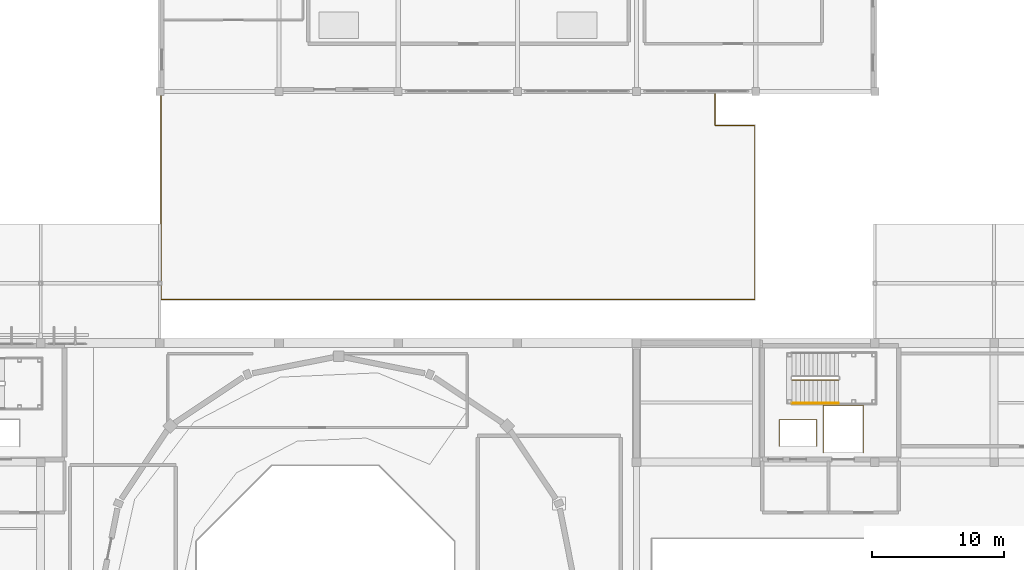
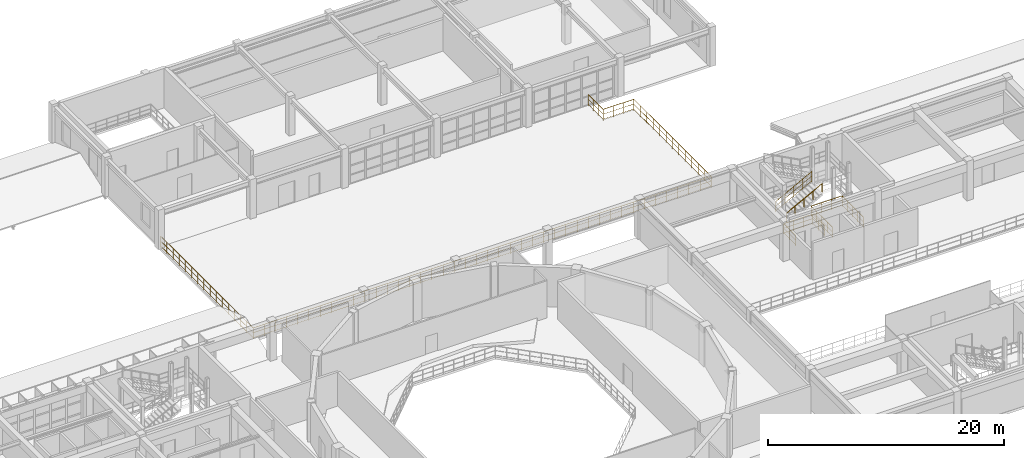
# One storey, part 79 of 80: 5 railings.
"""IFC4 building model written with IfcOpenShell, lengths in metres."""

from ifc_helpers import new_model, si_unit, direction, frame, origin, origin_2d, place, context, subcontext, project, spatial, circle, extrude, material, type_object, element, save


model = new_model("IFC4")

# Units and contexts
model_context = context("Model", 3, precision=1e-05, world=origin(), true_north=direction((0.0, 1.0)))
body_context = subcontext(model_context, "Body", "Model", "MODEL_VIEW")
ifc_project = project(units=[si_unit("LENGTHUNIT", "METRE"), si_unit("AREAUNIT", "SQUARE_METRE"), si_unit("VOLUMEUNIT", "CUBIC_METRE"), si_unit("PLANEANGLEUNIT", "RADIAN"), si_unit("MASSUNIT", "GRAM", prefix="KILO")], contexts=[model_context])

# Site, building, storey
site_placement = place(None, origin())
site = spatial("IfcSite", under=ifc_project, at=site_placement, CompositionType="ELEMENT")
building_placement = place(site_placement, origin())
building = spatial("IfcBuilding", under=site, at=building_placement, Name="Miravela Opera House", CompositionType="ELEMENT")
storey_placement = place(building_placement, frame((0.0, 0.0, 17.679931640625)))
storey = spatial("IfcBuildingStorey", under=building, at=storey_placement, Name="L04", CompositionType="ELEMENT", Elevation=17.679931640625)

# Railings
ifc_material_1 = material(Name="Brushed bronze continuous stair handrail")
railing_type_1 = type_object("IfcRailingType", Name="ARC-RAIL-HAND-900", PredefinedType="HANDRAIL", material=ifc_material_1)
railing_1_placement = place(storey_placement, frame((110.739990234375, 70.449951171875, 0.170166015625)))
element("IfcRailing", 1, at=railing_1_placement, inside=storey, type_object=railing_type_1, Name="L04 ST-03 stair handrail 1", PredefinedType="HANDRAIL", context=body_context, shape_type="SweptSolid", body=[
    extrude(circle(Radius=0.02392578125, at=origin_2d()), frame((0.0, 0.0, 0.8759765625), z_axis=(0.883129994055, 0.0, 0.469128355144), x_axis=(0.0, 1.0, 0.0)), (0.0, 0.0, 1.0), 3.98583984375),
    extrude(circle(Radius=0.02099609375, at=origin_2d()), origin(), (0.0, 0.0, 1.0), 0.851806640625),
    extrude(circle(Radius=0.02099609375, at=origin_2d()), frame((0.8798828125, 0.0, 0.467529296875)), (0.0, 0.0, 1.0), 0.851806640625),
    extrude(circle(Radius=0.02099609375, at=origin_2d()), frame((1.760009765625, 0.0, 0.93505859375)), (0.0, 0.0, 1.0), 0.851806640625),
    extrude(circle(Radius=0.02099609375, at=origin_2d()), frame((2.64013671875, 0.0, 1.40234375)), (0.0, 0.0, 1.0), 0.851806640625),
    extrude(circle(Radius=0.02099609375, at=origin_2d()), frame((3.52001953125, 0.0, 1.869873046875)), (0.0, 0.0, 1.0), 0.851806640625),
])
ifc_material_2 = material(Name="Painted wrought-iron stair guardrail")
railing_type_2 = type_object("IfcRailingType", Name="ARC-RAIL-STAIR-GUARD", PredefinedType="GUARDRAIL", material=ifc_material_2)
railing_2_placement = place(storey_placement, frame((110.739990234375, 72.18994140625, 0.170166015625)))
element("IfcRailing", 2, at=railing_2_placement, inside=storey, type_object=railing_type_2, Name="L04 ST-03 stair guard 1", PredefinedType="GUARDRAIL", context=body_context, shape_type="SweptSolid", body=[
    extrude(circle(Radius=0.02392578125, at=origin_2d()), frame((0.0, 0.0, 1.076171875), z_axis=(0.883129994055, 0.0, 0.469128355144), x_axis=(0.0, 1.0, 0.0)), (0.0, 0.0, 1.0), 3.98583984375),
    extrude(circle(Radius=0.01611328125, at=origin_2d()), frame((0.0, 0.0, 0.60498046875), z_axis=(0.883129994055, 0.0, 0.469128355144), x_axis=(0.0, 1.0, 0.0)), (0.0, 0.0, 1.0), 3.98583984375),
    extrude(circle(Radius=0.01611328125, at=origin_2d()), frame((0.0, 0.0, 0.1201171875), z_axis=(0.883129994055, 0.0, 0.469128355144), x_axis=(0.0, 1.0, 0.0)), (0.0, 0.0, 1.0), 3.98583984375),
    extrude(circle(Radius=0.02099609375, at=origin_2d()), origin(), (0.0, 0.0, 1.0), 1.052001953125),
    extrude(circle(Radius=0.02099609375, at=origin_2d()), frame((0.8798828125, 0.0, 0.467529296875)), (0.0, 0.0, 1.0), 1.052001953125),
    extrude(circle(Radius=0.02099609375, at=origin_2d()), frame((1.760009765625, 0.0, 0.93505859375)), (0.0, 0.0, 1.0), 1.052001953125),
    extrude(circle(Radius=0.02099609375, at=origin_2d()), frame((2.64013671875, 0.0, 1.40234375)), (0.0, 0.0, 1.0), 1.052001953125),
    extrude(circle(Radius=0.02099609375, at=origin_2d()), frame((3.52001953125, 0.0, 1.869873046875)), (0.0, 0.0, 1.0), 1.052001953125),
])
railing_3_placement = place(storey_placement, frame((109.7900390625, 67.18505859375, 0.0)))
element("IfcRailing", 3, at=railing_3_placement, inside=storey, type_object=railing_type_2, Name="Lift FFL-02 Hoistway Slab Opening Guard (L04) 0121", PredefinedType="GUARDRAIL", context=body_context, shape_type="SweptSolid", body=[
    extrude(circle(Radius=0.02392578125, at=origin_2d()), frame((0.0, 0.0, 1.076171875), z_axis=(0.0, 1.0, 0.0), x_axis=(-1.0, 0.0, 0.0)), (0.0, 0.0, 1.0), 2.030029296875),
    extrude(circle(Radius=0.01611328125, at=origin_2d()), frame((0.0, 0.0, 0.60498046875), z_axis=(0.0, 1.0, 0.0), x_axis=(-1.0, 0.0, 0.0)), (0.0, 0.0, 1.0), 2.030029296875),
    extrude(circle(Radius=0.01611328125, at=origin_2d()), frame((0.0, 0.0, 0.1201171875), z_axis=(0.0, 1.0, 0.0), x_axis=(-1.0, 0.0, 0.0)), (0.0, 0.0, 1.0), 2.030029296875),
    extrude(circle(Radius=0.02392578125, at=origin_2d()), frame((0.0, 2.030029296875, 1.076171875), z_axis=(1.0, 0.0, 0.0), x_axis=(0.0, 1.0, 0.0)), (0.0, 0.0, 1.0), 2.820068359375),
    extrude(circle(Radius=0.01611328125, at=origin_2d()), frame((0.0, 2.030029296875, 0.60498046875), z_axis=(1.0, 0.0, 0.0), x_axis=(0.0, 1.0, 0.0)), (0.0, 0.0, 1.0), 2.820068359375),
    extrude(circle(Radius=0.01611328125, at=origin_2d()), frame((0.0, 2.030029296875, 0.1201171875), z_axis=(1.0, 0.0, 0.0), x_axis=(0.0, 1.0, 0.0)), (0.0, 0.0, 1.0), 2.820068359375),
    extrude(circle(Radius=0.02392578125, at=origin_2d()), frame((2.820068359375, 2.030029296875, 1.076171875), z_axis=(0.0, -1.0, 0.0), x_axis=(1.0, 0.0, 0.0)), (0.0, 0.0, 1.0), 2.030029296875),
    extrude(circle(Radius=0.01611328125, at=origin_2d()), frame((2.820068359375, 2.030029296875, 0.60498046875), z_axis=(0.0, -1.0, 0.0), x_axis=(1.0, 0.0, 0.0)), (0.0, 0.0, 1.0), 2.030029296875),
    extrude(circle(Radius=0.01611328125, at=origin_2d()), frame((2.820068359375, 2.030029296875, 0.1201171875), z_axis=(0.0, -1.0, 0.0), x_axis=(1.0, 0.0, 0.0)), (0.0, 0.0, 1.0), 2.030029296875),
    extrude(circle(Radius=0.02099609375, at=origin_2d()), origin(), (0.0, 0.0, 1.0), 1.052001953125),
    extrude(circle(Radius=0.02099609375, at=origin_2d()), frame((0.0, 1.01513671875, 0.0)), (0.0, 0.0, 1.0), 1.052001953125),
    extrude(circle(Radius=0.02099609375, at=origin_2d()), frame((0.0, 2.030029296875, 0.0)), (0.0, 0.0, 1.0), 1.052001953125),
    extrude(circle(Radius=0.02099609375, at=origin_2d()), frame((0.93994140625, 2.030029296875, 0.0)), (0.0, 0.0, 1.0), 1.052001953125),
    extrude(circle(Radius=0.02099609375, at=origin_2d()), frame((1.880126953125, 2.030029296875, 0.0)), (0.0, 0.0, 1.0), 1.052001953125),
    extrude(circle(Radius=0.02099609375, at=origin_2d()), frame((2.820068359375, 2.030029296875, 0.0)), (0.0, 0.0, 1.0), 1.052001953125),
    extrude(circle(Radius=0.02099609375, at=origin_2d()), frame((2.820068359375, 1.01513671875, 0.0)), (0.0, 0.0, 1.0), 1.052001953125),
    extrude(circle(Radius=0.02099609375, at=origin_2d()), frame((2.820068359375, 0.0, 0.0)), (0.0, 0.0, 1.0), 1.052001953125),
])
railing_4_placement = place(storey_placement, frame((113.090087890625, 66.7099609375, 0.0)))
element("IfcRailing", 4, at=railing_4_placement, inside=storey, type_object=railing_type_2, Name="Lift FL-01 Hoistway Slab Opening Guard (L04) 0127", PredefinedType="GUARDRAIL", context=body_context, shape_type="SweptSolid", body=[
    extrude(circle(Radius=0.02392578125, at=origin_2d()), frame((0.0, 0.0, 1.076171875), z_axis=(0.0, 1.0, 0.0), x_axis=(-1.0, 0.0, 0.0)), (0.0, 0.0, 1.0), 3.580078125),
    extrude(circle(Radius=0.01611328125, at=origin_2d()), frame((0.0, 0.0, 0.60498046875), z_axis=(0.0, 1.0, 0.0), x_axis=(-1.0, 0.0, 0.0)), (0.0, 0.0, 1.0), 3.580078125),
    extrude(circle(Radius=0.01611328125, at=origin_2d()), frame((0.0, 0.0, 0.1201171875), z_axis=(0.0, 1.0, 0.0), x_axis=(-1.0, 0.0, 0.0)), (0.0, 0.0, 1.0), 3.580078125),
    extrude(circle(Radius=0.02392578125, at=origin_2d()), frame((0.0, 3.580078125, 1.076171875), z_axis=(1.0, 0.0, 0.0), x_axis=(0.0, 1.0, 0.0)), (0.0, 0.0, 1.0), 3.02001953125),
    extrude(circle(Radius=0.01611328125, at=origin_2d()), frame((0.0, 3.580078125, 0.60498046875), z_axis=(1.0, 0.0, 0.0), x_axis=(0.0, 1.0, 0.0)), (0.0, 0.0, 1.0), 3.02001953125),
    extrude(circle(Radius=0.01611328125, at=origin_2d()), frame((0.0, 3.580078125, 0.1201171875), z_axis=(1.0, 0.0, 0.0), x_axis=(0.0, 1.0, 0.0)), (0.0, 0.0, 1.0), 3.02001953125),
    extrude(circle(Radius=0.02392578125, at=origin_2d()), frame((3.02001953125, 3.580078125, 1.076171875), z_axis=(0.0, -1.0, 0.0), x_axis=(1.0, 0.0, 0.0)), (0.0, 0.0, 1.0), 3.580078125),
    extrude(circle(Radius=0.01611328125, at=origin_2d()), frame((3.02001953125, 3.580078125, 0.60498046875), z_axis=(0.0, -1.0, 0.0), x_axis=(1.0, 0.0, 0.0)), (0.0, 0.0, 1.0), 3.580078125),
    extrude(circle(Radius=0.01611328125, at=origin_2d()), frame((3.02001953125, 3.580078125, 0.1201171875), z_axis=(0.0, -1.0, 0.0), x_axis=(1.0, 0.0, 0.0)), (0.0, 0.0, 1.0), 3.580078125),
    extrude(circle(Radius=0.02099609375, at=origin_2d()), origin(), (0.0, 0.0, 1.0), 1.052001953125),
    extrude(circle(Radius=0.02099609375, at=origin_2d()), frame((0.0, 0.89501953125, 0.0)), (0.0, 0.0, 1.0), 1.052001953125),
    extrude(circle(Radius=0.02099609375, at=origin_2d()), frame((0.0, 1.7900390625, 0.0)), (0.0, 0.0, 1.0), 1.052001953125),
    extrude(circle(Radius=0.02099609375, at=origin_2d()), frame((0.0, 2.68505859375, 0.0)), (0.0, 0.0, 1.0), 1.052001953125),
    extrude(circle(Radius=0.02099609375, at=origin_2d()), frame((0.0, 3.580078125, 0.0)), (0.0, 0.0, 1.0), 1.052001953125),
    extrude(circle(Radius=0.02099609375, at=origin_2d()), frame((1.006591796875, 3.580078125, 0.0)), (0.0, 0.0, 1.0), 1.052001953125),
    extrude(circle(Radius=0.02099609375, at=origin_2d()), frame((2.013427734375, 3.580078125, 0.0)), (0.0, 0.0, 1.0), 1.052001953125),
    extrude(circle(Radius=0.02099609375, at=origin_2d()), frame((3.02001953125, 3.580078125, 0.0)), (0.0, 0.0, 1.0), 1.052001953125),
    extrude(circle(Radius=0.02099609375, at=origin_2d()), frame((3.02001953125, 2.68505859375, 0.0)), (0.0, 0.0, 1.0), 1.052001953125),
    extrude(circle(Radius=0.02099609375, at=origin_2d()), frame((3.02001953125, 1.7900390625, 0.0)), (0.0, 0.0, 1.0), 1.052001953125),
    extrude(circle(Radius=0.02099609375, at=origin_2d()), frame((3.02001953125, 0.89501953125, 0.0)), (0.0, 0.0, 1.0), 1.052001953125),
    extrude(circle(Radius=0.02099609375, at=origin_2d()), frame((3.02001953125, 0.0, 0.0)), (0.0, 0.0, 1.0), 1.052001953125),
])
ifc_material_3 = material(Name="Spanish Colonial wrought-iron terrace guard")
railing_type_3 = type_object("IfcRailingType", Name="ARC-RAIL-TERR-GUARD", PredefinedType="GUARDRAIL", material=ifc_material_3)
railing_5_placement = place(storey_placement, frame((63.080078125, 93.919921875, 0.0)))
element("IfcRailing", 5, at=railing_5_placement, inside=storey, type_object=railing_type_3, Name="L04 North Planted Roof Terrace Perimeter Guardrail 0173", PredefinedType="GUARDRAIL", context=body_context, shape_type="SweptSolid", body=[
    extrude(circle(Radius=0.02685546875, at=origin_2d()), frame((0.0, 0.0, 1.1328125), z_axis=(0.0, -1.0, 0.0), x_axis=(1.0, 0.0, 0.0)), (0.0, 0.0, 1.0), 15.639892578125),
    extrude(circle(Radius=0.01611328125, at=origin_2d()), frame((0.0, 0.0, 0.637939453125), z_axis=(0.0, -1.0, 0.0), x_axis=(1.0, 0.0, 0.0)), (0.0, 0.0, 1.0), 15.639892578125),
    extrude(circle(Radius=0.01611328125, at=origin_2d()), frame((0.0, 0.0, 0.1201171875), z_axis=(0.0, -1.0, 0.0), x_axis=(1.0, 0.0, 0.0)), (0.0, 0.0, 1.0), 15.639892578125),
    extrude(circle(Radius=0.02685546875, at=origin_2d()), frame((0.0, -15.639892578125, 1.1328125), z_axis=(1.0, 0.0, 0.0), x_axis=(0.0, 1.0, 0.0)), (0.0, 0.0, 1.0), 44.83984375),
    extrude(circle(Radius=0.01611328125, at=origin_2d()), frame((0.0, -15.639892578125, 0.637939453125), z_axis=(1.0, 0.0, 0.0), x_axis=(0.0, 1.0, 0.0)), (0.0, 0.0, 1.0), 44.83984375),
    extrude(circle(Radius=0.01611328125, at=origin_2d()), frame((0.0, -15.639892578125, 0.1201171875), z_axis=(1.0, 0.0, 0.0), x_axis=(0.0, 1.0, 0.0)), (0.0, 0.0, 1.0), 44.83984375),
    extrude(circle(Radius=0.02685546875, at=origin_2d()), frame((44.83984375, -15.639892578125, 1.1328125), z_axis=(0.0, 1.0, 0.0), x_axis=(-1.0, 0.0, 0.0)), (0.0, 0.0, 1.0), 13.139892578125),
    extrude(circle(Radius=0.01611328125, at=origin_2d()), frame((44.83984375, -15.639892578125, 0.637939453125), z_axis=(0.0, 1.0, 0.0), x_axis=(-1.0, 0.0, 0.0)), (0.0, 0.0, 1.0), 13.139892578125),
    extrude(circle(Radius=0.01611328125, at=origin_2d()), frame((44.83984375, -15.639892578125, 0.1201171875), z_axis=(0.0, 1.0, 0.0), x_axis=(-1.0, 0.0, 0.0)), (0.0, 0.0, 1.0), 13.139892578125),
    extrude(circle(Radius=0.02685546875, at=origin_2d()), frame((44.83984375, -2.5, 1.1328125), z_axis=(-1.0, 0.0, 0.0), x_axis=(0.0, -1.0, 0.0)), (0.0, 0.0, 1.0), 3.0),
    extrude(circle(Radius=0.01611328125, at=origin_2d()), frame((44.83984375, -2.5, 0.637939453125), z_axis=(-1.0, 0.0, 0.0), x_axis=(0.0, -1.0, 0.0)), (0.0, 0.0, 1.0), 3.0),
    extrude(circle(Radius=0.01611328125, at=origin_2d()), frame((44.83984375, -2.5, 0.1201171875), z_axis=(-1.0, 0.0, 0.0), x_axis=(0.0, -1.0, 0.0)), (0.0, 0.0, 1.0), 3.0),
    extrude(circle(Radius=0.02685546875, at=origin_2d()), frame((41.83984375, -2.5, 1.1328125), z_axis=(0.0, 1.0, 0.0), x_axis=(-1.0, 0.0, 0.0)), (0.0, 0.0, 1.0), 2.5),
    extrude(circle(Radius=0.01611328125, at=origin_2d()), frame((41.83984375, -2.5, 0.637939453125), z_axis=(0.0, 1.0, 0.0), x_axis=(-1.0, 0.0, 0.0)), (0.0, 0.0, 1.0), 2.5),
    extrude(circle(Radius=0.01611328125, at=origin_2d()), frame((41.83984375, -2.5, 0.1201171875), z_axis=(0.0, 1.0, 0.0), x_axis=(-1.0, 0.0, 0.0)), (0.0, 0.0, 1.0), 2.5),
    extrude(circle(Radius=0.02099609375, at=origin_2d()), origin(), (0.0, 0.0, 1.0), 1.10595703125),
    extrude(circle(Radius=0.02099609375, at=origin_2d()), frame((0.0, -1.042724609375, 0.0)), (0.0, 0.0, 1.0), 1.10595703125),
    extrude(circle(Radius=0.02099609375, at=origin_2d()), frame((0.0, -2.085205078125, 0.0)), (0.0, 0.0, 1.0), 1.10595703125),
    extrude(circle(Radius=0.02099609375, at=origin_2d()), frame((0.0, -3.1279296875, 0.0)), (0.0, 0.0, 1.0), 1.10595703125),
    extrude(circle(Radius=0.02099609375, at=origin_2d()), frame((0.0, -4.170654296875, 0.0)), (0.0, 0.0, 1.0), 1.10595703125),
    extrude(circle(Radius=0.02099609375, at=origin_2d()), frame((0.0, -5.21337890625, 0.0)), (0.0, 0.0, 1.0), 1.10595703125),
    extrude(circle(Radius=0.02099609375, at=origin_2d()), frame((0.0, -6.255859375, 0.0)), (0.0, 0.0, 1.0), 1.10595703125),
    extrude(circle(Radius=0.02099609375, at=origin_2d()), frame((0.0, -7.298583984375, 0.0)), (0.0, 0.0, 1.0), 1.10595703125),
    extrude(circle(Radius=0.02099609375, at=origin_2d()), frame((0.0, -8.34130859375, 0.0)), (0.0, 0.0, 1.0), 1.10595703125),
    extrude(circle(Radius=0.02099609375, at=origin_2d()), frame((0.0, -9.384033203125, 0.0)), (0.0, 0.0, 1.0), 1.10595703125),
    extrude(circle(Radius=0.02099609375, at=origin_2d()), frame((0.0, -10.426513671875, 0.0)), (0.0, 0.0, 1.0), 1.10595703125),
    extrude(circle(Radius=0.02099609375, at=origin_2d()), frame((0.0, -11.46923828125, 0.0)), (0.0, 0.0, 1.0), 1.10595703125),
    extrude(circle(Radius=0.02099609375, at=origin_2d()), frame((0.0, -12.511962890625, 0.0)), (0.0, 0.0, 1.0), 1.10595703125),
    extrude(circle(Radius=0.02099609375, at=origin_2d()), frame((0.0, -13.5546875, 0.0)), (0.0, 0.0, 1.0), 1.10595703125),
    extrude(circle(Radius=0.02099609375, at=origin_2d()), frame((0.0, -14.59716796875, 0.0)), (0.0, 0.0, 1.0), 1.10595703125),
    extrude(circle(Radius=0.02099609375, at=origin_2d()), frame((0.0, -15.639892578125, 0.0)), (0.0, 0.0, 1.0), 1.10595703125),
    extrude(circle(Radius=0.02099609375, at=origin_2d()), frame((1.09375, -15.639892578125, 0.0)), (0.0, 0.0, 1.0), 1.10595703125),
    extrude(circle(Radius=0.02099609375, at=origin_2d()), frame((2.187255859375, -15.639892578125, 0.0)), (0.0, 0.0, 1.0), 1.10595703125),
    extrude(circle(Radius=0.02099609375, at=origin_2d()), frame((3.281005859375, -15.639892578125, 0.0)), (0.0, 0.0, 1.0), 1.10595703125),
    extrude(circle(Radius=0.02099609375, at=origin_2d()), frame((4.37451171875, -15.639892578125, 0.0)), (0.0, 0.0, 1.0), 1.10595703125),
    extrude(circle(Radius=0.02099609375, at=origin_2d()), frame((5.46826171875, -15.639892578125, 0.0)), (0.0, 0.0, 1.0), 1.10595703125),
    extrude(circle(Radius=0.02099609375, at=origin_2d()), frame((6.56201171875, -15.639892578125, 0.0)), (0.0, 0.0, 1.0), 1.10595703125),
    extrude(circle(Radius=0.02099609375, at=origin_2d()), frame((7.655517578125, -15.639892578125, 0.0)), (0.0, 0.0, 1.0), 1.10595703125),
    extrude(circle(Radius=0.02099609375, at=origin_2d()), frame((8.749267578125, -15.639892578125, 0.0)), (0.0, 0.0, 1.0), 1.10595703125),
    extrude(circle(Radius=0.02099609375, at=origin_2d()), frame((9.8427734375, -15.639892578125, 0.0)), (0.0, 0.0, 1.0), 1.10595703125),
    extrude(circle(Radius=0.02099609375, at=origin_2d()), frame((10.9365234375, -15.639892578125, 0.0)), (0.0, 0.0, 1.0), 1.10595703125),
    extrude(circle(Radius=0.02099609375, at=origin_2d()), frame((12.0302734375, -15.639892578125, 0.0)), (0.0, 0.0, 1.0), 1.10595703125),
    extrude(circle(Radius=0.02099609375, at=origin_2d()), frame((13.123779296875, -15.639892578125, 0.0)), (0.0, 0.0, 1.0), 1.10595703125),
    extrude(circle(Radius=0.02099609375, at=origin_2d()), frame((14.217529296875, -15.639892578125, 0.0)), (0.0, 0.0, 1.0), 1.10595703125),
    extrude(circle(Radius=0.02099609375, at=origin_2d()), frame((15.311279296875, -15.639892578125, 0.0)), (0.0, 0.0, 1.0), 1.10595703125),
    extrude(circle(Radius=0.02099609375, at=origin_2d()), frame((16.40478515625, -15.639892578125, 0.0)), (0.0, 0.0, 1.0), 1.10595703125),
    extrude(circle(Radius=0.02099609375, at=origin_2d()), frame((17.49853515625, -15.639892578125, 0.0)), (0.0, 0.0, 1.0), 1.10595703125),
    extrude(circle(Radius=0.02099609375, at=origin_2d()), frame((18.592041015625, -15.639892578125, 0.0)), (0.0, 0.0, 1.0), 1.10595703125),
    extrude(circle(Radius=0.02099609375, at=origin_2d()), frame((19.685791015625, -15.639892578125, 0.0)), (0.0, 0.0, 1.0), 1.10595703125),
    extrude(circle(Radius=0.02099609375, at=origin_2d()), frame((20.779541015625, -15.639892578125, 0.0)), (0.0, 0.0, 1.0), 1.10595703125),
    extrude(circle(Radius=0.02099609375, at=origin_2d()), frame((21.873046875, -15.639892578125, 0.0)), (0.0, 0.0, 1.0), 1.10595703125),
    extrude(circle(Radius=0.02099609375, at=origin_2d()), frame((22.966796875, -15.639892578125, 0.0)), (0.0, 0.0, 1.0), 1.10595703125),
    extrude(circle(Radius=0.02099609375, at=origin_2d()), frame((24.060302734375, -15.639892578125, 0.0)), (0.0, 0.0, 1.0), 1.10595703125),
    extrude(circle(Radius=0.02099609375, at=origin_2d()), frame((25.154052734375, -15.639892578125, 0.0)), (0.0, 0.0, 1.0), 1.10595703125),
    extrude(circle(Radius=0.02099609375, at=origin_2d()), frame((26.247802734375, -15.639892578125, 0.0)), (0.0, 0.0, 1.0), 1.10595703125),
    extrude(circle(Radius=0.02099609375, at=origin_2d()), frame((27.34130859375, -15.639892578125, 0.0)), (0.0, 0.0, 1.0), 1.10595703125),
    extrude(circle(Radius=0.02099609375, at=origin_2d()), frame((28.43505859375, -15.639892578125, 0.0)), (0.0, 0.0, 1.0), 1.10595703125),
    extrude(circle(Radius=0.02099609375, at=origin_2d()), frame((29.528564453125, -15.639892578125, 0.0)), (0.0, 0.0, 1.0), 1.10595703125),
    extrude(circle(Radius=0.02099609375, at=origin_2d()), frame((30.622314453125, -15.639892578125, 0.0)), (0.0, 0.0, 1.0), 1.10595703125),
    extrude(circle(Radius=0.02099609375, at=origin_2d()), frame((31.716064453125, -15.639892578125, 0.0)), (0.0, 0.0, 1.0), 1.10595703125),
    extrude(circle(Radius=0.02099609375, at=origin_2d()), frame((32.8095703125, -15.639892578125, 0.0)), (0.0, 0.0, 1.0), 1.10595703125),
    extrude(circle(Radius=0.02099609375, at=origin_2d()), frame((33.9033203125, -15.639892578125, 0.0)), (0.0, 0.0, 1.0), 1.10595703125),
    extrude(circle(Radius=0.02099609375, at=origin_2d()), frame((34.9970703125, -15.639892578125, 0.0)), (0.0, 0.0, 1.0), 1.10595703125),
    extrude(circle(Radius=0.02099609375, at=origin_2d()), frame((36.090576171875, -15.639892578125, 0.0)), (0.0, 0.0, 1.0), 1.10595703125),
    extrude(circle(Radius=0.02099609375, at=origin_2d()), frame((37.184326171875, -15.639892578125, 0.0)), (0.0, 0.0, 1.0), 1.10595703125),
    extrude(circle(Radius=0.02099609375, at=origin_2d()), frame((38.27783203125, -15.639892578125, 0.0)), (0.0, 0.0, 1.0), 1.10595703125),
    extrude(circle(Radius=0.02099609375, at=origin_2d()), frame((39.37158203125, -15.639892578125, 0.0)), (0.0, 0.0, 1.0), 1.10595703125),
    extrude(circle(Radius=0.02099609375, at=origin_2d()), frame((40.46533203125, -15.639892578125, 0.0)), (0.0, 0.0, 1.0), 1.10595703125),
    extrude(circle(Radius=0.02099609375, at=origin_2d()), frame((41.558837890625, -15.639892578125, 0.0)), (0.0, 0.0, 1.0), 1.10595703125),
    extrude(circle(Radius=0.02099609375, at=origin_2d()), frame((42.652587890625, -15.639892578125, 0.0)), (0.0, 0.0, 1.0), 1.10595703125),
    extrude(circle(Radius=0.02099609375, at=origin_2d()), frame((43.74609375, -15.639892578125, 0.0)), (0.0, 0.0, 1.0), 1.10595703125),
    extrude(circle(Radius=0.02099609375, at=origin_2d()), frame((44.83984375, -15.639892578125, 0.0)), (0.0, 0.0, 1.0), 1.10595703125),
    extrude(circle(Radius=0.02099609375, at=origin_2d()), frame((44.83984375, -14.544921875, 0.0)), (0.0, 0.0, 1.0), 1.10595703125),
    extrude(circle(Radius=0.02099609375, at=origin_2d()), frame((44.83984375, -13.449951171875, 0.0)), (0.0, 0.0, 1.0), 1.10595703125),
    extrude(circle(Radius=0.02099609375, at=origin_2d()), frame((44.83984375, -12.35498046875, 0.0)), (0.0, 0.0, 1.0), 1.10595703125),
    extrude(circle(Radius=0.02099609375, at=origin_2d()), frame((44.83984375, -11.260009765625, 0.0)), (0.0, 0.0, 1.0), 1.10595703125),
    extrude(circle(Radius=0.02099609375, at=origin_2d()), frame((44.83984375, -10.1650390625, 0.0)), (0.0, 0.0, 1.0), 1.10595703125),
    extrude(circle(Radius=0.02099609375, at=origin_2d()), frame((44.83984375, -9.06982421875, 0.0)), (0.0, 0.0, 1.0), 1.10595703125),
    extrude(circle(Radius=0.02099609375, at=origin_2d()), frame((44.83984375, -7.974853515625, 0.0)), (0.0, 0.0, 1.0), 1.10595703125),
    extrude(circle(Radius=0.02099609375, at=origin_2d()), frame((44.83984375, -6.8798828125, 0.0)), (0.0, 0.0, 1.0), 1.10595703125),
    extrude(circle(Radius=0.02099609375, at=origin_2d()), frame((44.83984375, -5.784912109375, 0.0)), (0.0, 0.0, 1.0), 1.10595703125),
    extrude(circle(Radius=0.02099609375, at=origin_2d()), frame((44.83984375, -4.68994140625, 0.0)), (0.0, 0.0, 1.0), 1.10595703125),
    extrude(circle(Radius=0.02099609375, at=origin_2d()), frame((44.83984375, -3.594970703125, 0.0)), (0.0, 0.0, 1.0), 1.10595703125),
    extrude(circle(Radius=0.02099609375, at=origin_2d()), frame((44.83984375, -2.5, 0.0)), (0.0, 0.0, 1.0), 1.10595703125),
    extrude(circle(Radius=0.02099609375, at=origin_2d()), frame((43.83984375, -2.5, 0.0)), (0.0, 0.0, 1.0), 1.10595703125),
    extrude(circle(Radius=0.02099609375, at=origin_2d()), frame((42.83984375, -2.5, 0.0)), (0.0, 0.0, 1.0), 1.10595703125),
    extrude(circle(Radius=0.02099609375, at=origin_2d()), frame((41.83984375, -2.5, 0.0)), (0.0, 0.0, 1.0), 1.10595703125),
    extrude(circle(Radius=0.02099609375, at=origin_2d()), frame((41.83984375, -1.666748046875, 0.0)), (0.0, 0.0, 1.0), 1.10595703125),
    extrude(circle(Radius=0.02099609375, at=origin_2d()), frame((41.83984375, -0.833251953125, 0.0)), (0.0, 0.0, 1.0), 1.10595703125),
    extrude(circle(Radius=0.02099609375, at=origin_2d()), frame((41.83984375, 0.0, 0.0)), (0.0, 0.0, 1.0), 1.10595703125),
])

save(model, "model.ifc")
